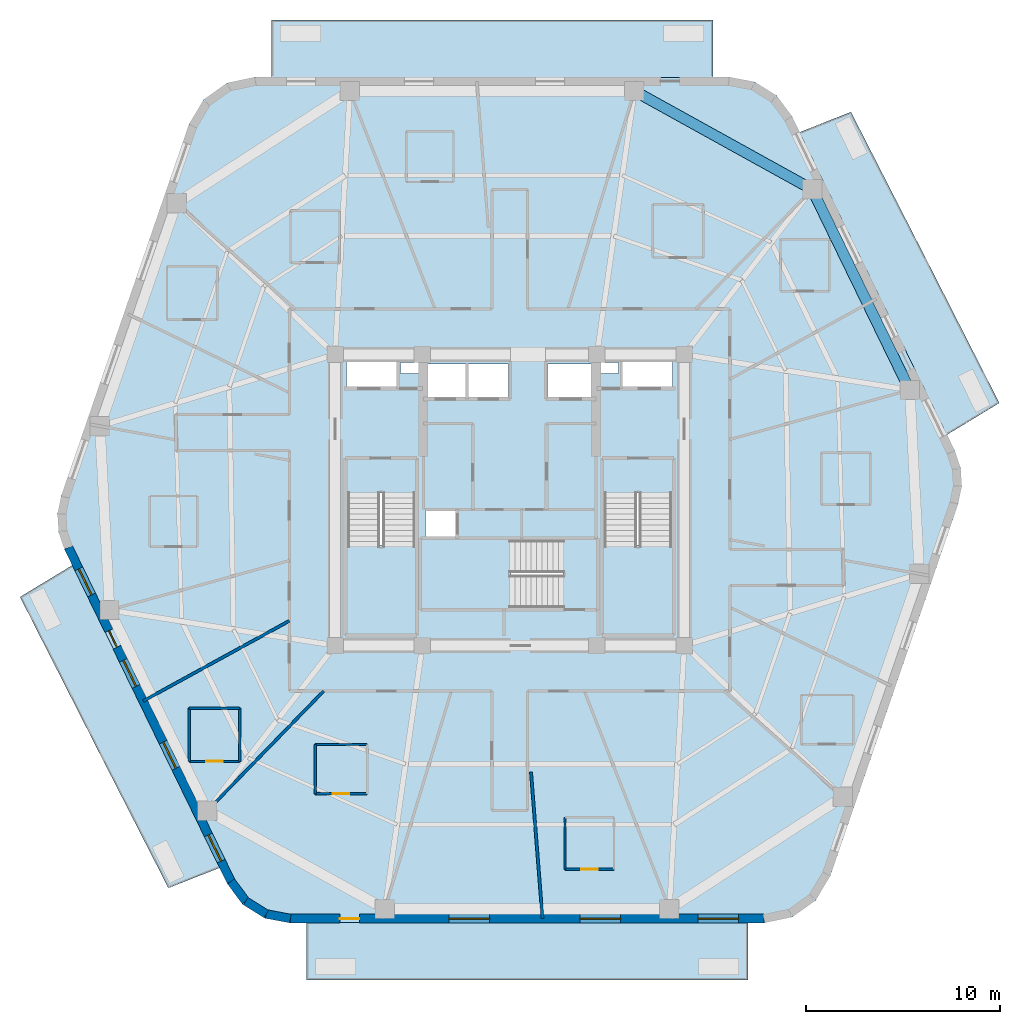
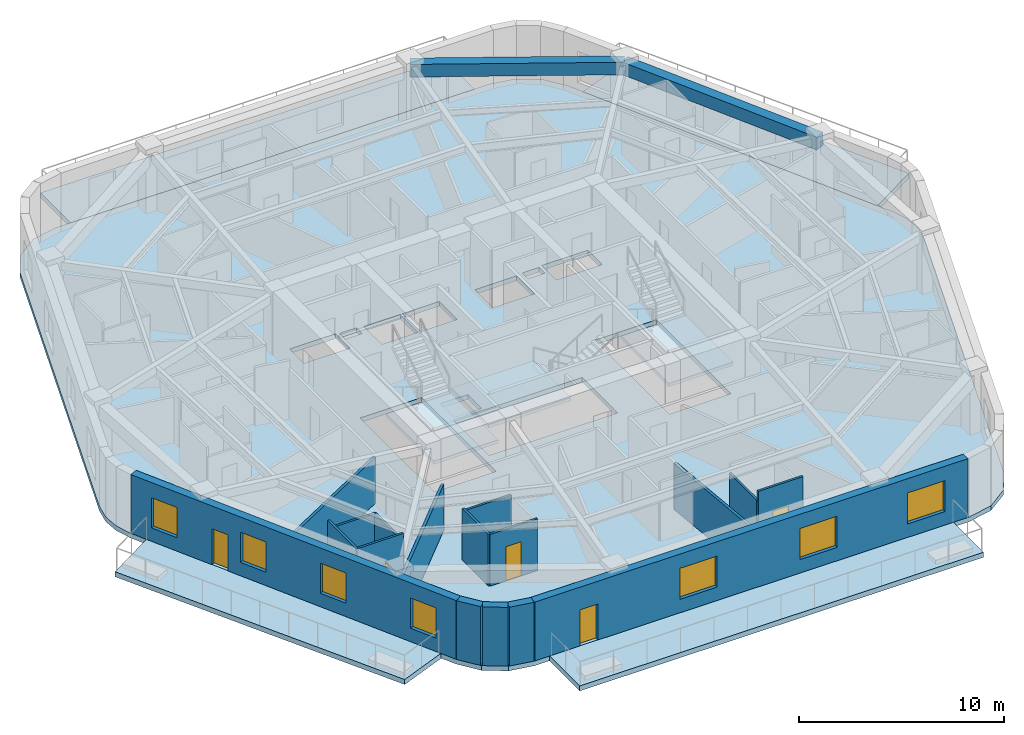
# One storey, part 2 of 10: 17 walls, 8 slabs, 7 windows, 5 doors, 2 beams, 12 openings, 3 elements without a shape of their own.
"""IFC4 building model written with IfcOpenShell, lengths in metres."""

from ifc_helpers import new_model, si_unit, direction, frame, frame_2d, origin, origin_2d, place, context, subcontext, project, spatial, polyline, rectangle, outline, extrude, material, layer, layer_set, material_profile, profile_set, type_object, element, fill, aggregate, save


model = new_model("IFC4")

# Units and contexts
model_context = context("Model", 3, precision=1e-05, world=origin(), true_north=direction((0.0, 1.0)))
body_context = subcontext(model_context, "Body", "Model", "MODEL_VIEW")
ifc_project = project(units=[si_unit("LENGTHUNIT", "METRE"), si_unit("AREAUNIT", "SQUARE_METRE"), si_unit("VOLUMEUNIT", "CUBIC_METRE"), si_unit("PLANEANGLEUNIT", "RADIAN"), si_unit("MASSUNIT", "GRAM", prefix="KILO")], contexts=[model_context])

# Site, building, storey
site_placement = place(None, origin())
site = spatial("IfcSite", under=ifc_project, at=site_placement, CompositionType="ELEMENT")
building_placement = place(site_placement, origin())
building = spatial("IfcBuilding", under=site, at=building_placement, Name="Kilnhurst Terrace Hotel", CompositionType="ELEMENT")
storey_placement = place(building_placement, frame((0.0, 0.0, 248.300048828125)))
storey = spatial("IfcBuildingStorey", under=building, at=storey_placement, Name="L62", CompositionType="ELEMENT", Elevation=248.300048828125)

# Beams
ifc_material_1 = material(Name="Concrete C50/60", Category="concrete")
ifc_material_profile = material_profile(ifc_material_1, rectangle(XDim=0.550048828125, YDim=0.75, at=origin_2d()), Name="RC550X750")
ifc_profile_set = profile_set([ifc_material_profile], Name="Concrete C50/60")
beam_type = type_object("IfcBeamType", Name="BM-SPN-550X750", PredefinedType="SPANDREL", material=ifc_profile_set)
beam_1_placement = place(storey_placement, frame((20.6220703125, 5.669921875, 3.125), z_axis=(-0.437705964683, 0.899118172701, 0.0), x_axis=(-0.899118172701, -0.437705964683, 0.0)))
element("IfcBeam", 1, at=beam_1_placement, inside=storey, type_object=beam_type, Name="L62 Perimeter Spandrel Beam 5", PredefinedType="SPANDREL", context=body_context, shape_type="SweptSolid", body=[
    extrude(rectangle(XDim=0.550048828125, YDim=0.75, at=origin_2d()), origin(), (0.0, 0.0, 1.0), 11.50341796875),
])
beam_2_placement = place(storey_placement, frame((15.5869140625, 16.012939453125, 3.125), z_axis=(-0.874970333121, 0.484176534085, 0.0), x_axis=(-0.484176534085, -0.874970333121, 0.0)))
element("IfcBeam", 2, at=beam_2_placement, inside=storey, type_object=beam_type, Name="L62 Perimeter Spandrel Beam 6", PredefinedType="SPANDREL", context=body_context, shape_type="SweptSolid", body=[
    extrude(rectangle(XDim=0.550048828125, YDim=0.75, at=origin_2d()), origin(), (0.0, 0.0, 1.0), 10.465576171875),
])

# Slabs
ifc_layer_1 = layer(ifc_material_1, 0.300048828125, Name="Concrete C50/60")
ifc_layer_set_1 = layer_set([ifc_layer_1], Name="Concrete C50/60")
slab_type_1 = type_object("IfcSlabType", Name="SLB-BAL-300", PredefinedType="FLOOR", material=ifc_layer_set_1)
slab_1_placement = place(storey_placement, frame((0.0, 0.0, -0.300048828125)))
element("IfcSlab", 3, at=slab_1_placement, inside=storey, type_object=slab_type_1, Name="L62 Cantilevered Planted Terrace Slab BAL-L1A", PredefinedType="FLOOR", context=body_context, shape_type="SweptSolid", body=[
    extrude(outline(polyline([(21.440185546875, 12.465576171875), (25.237548828125, 5.0), (22.527587890625, 3.356201171875), (14.93505859375, 18.95068359375), (17.5888671875, 20.0), (21.440185546875, 12.465576171875)])), origin(), (0.0, 0.0, 1.0), 0.300048828125),
])
slab_2_placement = place(storey_placement, frame((0.0, 0.0, -0.300048828125)))
element("IfcSlab", 4, at=slab_2_placement, inside=storey, type_object=slab_type_1, Name="L62 Cantilevered Planted Terrace Slab BAL-L1B", PredefinedType="FLOOR", context=body_context, shape_type="SweptSolid", body=[
    extrude(outline(polyline([(-12.27490234375, 21.780029296875), (-12.27490234375, 24.739990234375), (10.46875, 24.739990234375), (10.46875, 21.780029296875), (-12.27490234375, 21.780029296875)])), origin(), (0.0, 0.0, 1.0), 0.300048828125),
])
slab_3_placement = place(storey_placement, frame((0.0, 0.0, -0.300048828125)))
element("IfcSlab", 5, at=slab_3_placement, inside=storey, type_object=slab_type_1, Name="L62 Cantilevered Planted Terrace Slab BAL-L2A", PredefinedType="FLOOR", context=body_context, shape_type="SweptSolid", body=[
    extrude(outline(polyline([(-25.237548828125, -5.0), (-22.527587890625, -3.356201171875), (-14.93505859375, -18.95068359375), (-17.5888671875, -20.0), (-21.440185546875, -12.465576171875), (-25.237548828125, -5.0)])), origin(), (0.0, 0.0, 1.0), 0.300048828125),
])
slab_4_placement = place(storey_placement, frame((0.0, 0.0, -0.300048828125)))
element("IfcSlab", 6, at=slab_4_placement, inside=storey, type_object=slab_type_1, Name="L62 Cantilevered Planted Terrace Slab BAL-L2B", PredefinedType="FLOOR", context=body_context, shape_type="SweptSolid", body=[
    extrude(outline(polyline([(12.27490234375, -21.780029296875), (12.27490234375, -24.739990234375), (-10.46875, -24.739990234375), (-10.46875, -21.780029296875), (12.27490234375, -21.780029296875)])), origin(), (0.0, 0.0, 1.0), 0.300048828125),
])
ifc_layer_2 = layer(ifc_material_1, 0.280029296875, Name="Concrete C50/60")
ifc_layer_set_2 = layer_set([ifc_layer_2], Name="Concrete C50/60")
slab_type_2 = type_object("IfcSlabType", Name="SLB-FLR-280", PredefinedType="FLOOR", material=ifc_layer_set_2)
slab_5_placement = place(storey_placement, frame((0.0, 0.0, -0.280029296875)))
element("IfcSlab", 7, at=slab_5_placement, inside=storey, type_object=slab_type_2, Name="L62 Structural Floor Slab", PredefinedType="FLOOR", context=body_context, shape_type="SweptSolid", body=[
    extrude(outline(polyline([(-14.555419921875, -19.77587890625), (-13.759765625, -20.845947265625), (-12.629150390625, -21.552978515625), (-11.318603515625, -21.800048828125), (13.124755859375, -21.800048828125), (14.5703125, -21.4970703125), (15.772705078125, -20.638916015625), (16.529296875, -19.370361328125), (23.1162109375, -0.208740234375), (23.302978515625, 0.710693359375), (23.24560546875, 1.6474609375), (22.948486328125, 2.537353515625), (14.555419921875, 19.77587890625), (13.759765625, 20.845947265625), (12.629150390625, 21.552978515625), (11.318603515625, 21.800048828125), (-13.124755859375, 21.800048828125), (-14.5703125, 21.4970703125), (-15.772705078125, 20.638916015625), (-16.529296875, 19.370361328125), (-23.1162109375, 0.208740234375), (-23.302978515625, -0.710693359375), (-23.24560546875, -1.6474609375), (-22.948486328125, -2.537353515625), (-14.555419921875, -19.77587890625)]), holes=[polyline([(-8.35009765625, 0.35498046875), (-4.8798828125, 0.35498046875), (-4.8798828125, -6.89990234375), (-8.35009765625, -6.89990234375), (-8.35009765625, 0.35498046875)]), polyline([(-2.800048828125, -1.89990234375), (-4.35009765625, -1.89990234375), (-4.35009765625, -0.550048828125), (-2.800048828125, -0.550048828125), (-2.800048828125, -1.89990234375)]), polyline([(-2.25, 5.25), (-4.300048828125, 5.25), (-4.300048828125, 7.0), (-2.25, 7.0), (-2.25, 5.25)]), polyline([(-2.1201171875, 5.25), (-2.1201171875, 7.0), (-0.050048828125, 7.0), (-0.050048828125, 5.25), (-2.1201171875, 5.25)]), polyline([(-8.39990234375, 5.75), (-8.39990234375, 7.14990234375), (-5.800048828125, 7.14990234375), (-5.800048828125, 5.75), (-8.39990234375, 5.75)]), polyline([(-4.659912109375, 6.52001953125), (-5.6201171875, 6.52001953125), (-5.6201171875, 7.080078125), (-4.659912109375, 7.080078125), (-4.659912109375, 6.52001953125)]), polyline([(2.7548828125, -5.550048828125), (-4.5, -5.550048828125), (-4.5, -2.080078125), (2.7548828125, -2.080078125), (2.7548828125, -5.550048828125)]), polyline([(8.35009765625, 0.35498046875), (8.35009765625, -6.89990234375), (4.8798828125, -6.89990234375), (4.8798828125, 0.35498046875), (8.35009765625, 0.35498046875)]), polyline([(4.300048828125, 5.25), (1.949951171875, 5.25), (1.949951171875, 7.0), (4.300048828125, 7.0), (4.300048828125, 5.25)]), polyline([(5.800048828125, 5.75), (5.800048828125, 7.14990234375), (8.39990234375, 7.14990234375), (8.39990234375, 5.75), (5.800048828125, 5.75)]), polyline([(4.659912109375, 6.52001953125), (4.659912109375, 7.080078125), (5.6201171875, 7.080078125), (5.6201171875, 6.52001953125), (4.659912109375, 6.52001953125)])]), origin(), (0.0, 0.0, 1.0), 0.280029296875),
])

# Stair, slab
stair_type = type_object("IfcStairType", Name="STR-CORE-1660", PredefinedType="HALF_TURN_STAIR", material=ifc_material_1)
stair_1_placement = place(storey_placement, origin())
stair_1 = element("IfcStair", 8, at=stair_1_placement, inside=storey, type_object=stair_type, Name="L62 ST-1", PredefinedType="HALF_TURN_STAIR")
ifc_layer_3 = layer(ifc_material_1, 0.199951171875, Name="Concrete C50/60")
ifc_layer_set_3 = layer_set([ifc_layer_3], Name="Concrete C50/60")
slab_type_3 = type_object("IfcSlabType", Name="SLB-ST-LND-200", PredefinedType="LANDING", material=ifc_layer_set_3)
slab_6_placement = place(storey_placement, frame((0.0, 0.0, 1.699951171875)))
slab_6 = element("IfcSlab", 9, at=slab_6_placement, type_object=slab_type_3, Name="ST-1 landing 1", PredefinedType="LANDING", context=body_context, shape_type="SweptSolid", body=[
    extrude(outline(polyline([(-8.429931640625, -2.330078125), (-4.800048828125, -2.330078125), (-4.800048828125, -6.97998046875), (-8.429931640625, -6.97998046875), (-8.429931640625, -2.330078125)])), origin(), (0.0, 0.0, 1.0), 0.199951171875),
])
aggregate(stair_1, [slab_6])

stair_2_placement = place(storey_placement, origin())
stair_2 = element("IfcStair", 10, at=stair_2_placement, inside=storey, type_object=stair_type, Name="L62 ST-2", PredefinedType="HALF_TURN_STAIR")
slab_7_placement = place(storey_placement, frame((0.0, 0.0, 1.699951171875)))
slab_7 = element("IfcSlab", 11, at=slab_7_placement, type_object=slab_type_3, Name="ST-2 landing 1", PredefinedType="LANDING", context=body_context, shape_type="SweptSolid", body=[
    extrude(outline(polyline([(4.800048828125, -2.330078125), (8.429931640625, -2.330078125), (8.429931640625, -6.97998046875), (4.800048828125, -6.97998046875), (4.800048828125, -2.330078125)])), origin(), (0.0, 0.0, 1.0), 0.199951171875),
])
aggregate(stair_2, [slab_7])

stair_3_placement = place(storey_placement, origin())
stair_3 = element("IfcStair", 12, at=stair_3_placement, inside=storey, type_object=stair_type, Name="L62 ST-3", PredefinedType="HALF_TURN_STAIR")
slab_8_placement = place(storey_placement, frame((0.0, 0.0, 1.699951171875)))
slab_8 = element("IfcSlab", 13, at=slab_8_placement, type_object=slab_type_3, Name="ST-3 landing 1", PredefinedType="LANDING", context=body_context, shape_type="SweptSolid", body=[
    extrude(outline(polyline([(0.070068359375, -2.0), (0.070068359375, -5.6298828125), (-4.580078125, -5.6298828125), (-4.580078125, -2.0), (0.070068359375, -2.0)])), origin(), (0.0, 0.0, 1.0), 0.199951171875),
])
aggregate(stair_3, [slab_8])

# Walls
ifc_material_2 = material(Name="Precast concrete C40/50", Category="concrete")
ifc_layer_4 = layer(ifc_material_2, 0.449951171875, Name="Precast concrete C40/50")
ifc_layer_set_4 = layer_set([ifc_layer_4], Name="Precast concrete C40/50")
wall_type_1 = type_object("IfcWallType", Name="WL-BRK-450", PredefinedType="SOLIDWALL", material=ifc_layer_set_4)
wall_1_placement = place(storey_placement, frame((-14.3623046875, -19.658447265625, 0.0), z_axis=(0.0, 0.0, 1.0), x_axis=(0.596642462792, -0.80250717853, 0.0)))
element("IfcWall", 14, at=wall_1_placement, inside=storey, type_object=wall_type_1, Name="L62 Rounded Corner Brick Wall C1.1", PredefinedType="SOLIDWALL", context=body_context, shape_type="SweptSolid", body=[
    extrude(rectangle(XDim=1.27001953125, YDim=0.449951171875, at=frame_2d((0.635009765625, 0.0))), origin(), (0.0, 0.0, 1.0), 3.5),
])
wall_2_placement = place(storey_placement, frame((-13.6044921875, -20.677734375, 0.0), z_axis=(0.0, 0.0, 1.0), x_axis=(0.847910404124, -0.53013955387, 0.0)))
element("IfcWall", 15, at=wall_2_placement, inside=storey, type_object=wall_type_1, Name="L62 Rounded Corner Brick Wall C1.2", PredefinedType="SOLIDWALL", context=body_context, shape_type="SweptSolid", body=[
    extrude(rectangle(XDim=1.24853515625, YDim=0.449951171875, at=frame_2d((0.624267578125, 0.0))), origin(), (0.0, 0.0, 1.0), 3.5),
])
wall_3_placement = place(storey_placement, frame((-12.5458984375, -21.339599609375, 0.0), z_axis=(0.0, 0.0, 1.0), x_axis=(0.982686750835, -0.18527479519, 0.0)))
element("IfcWall", 16, at=wall_3_placement, inside=storey, type_object=wall_type_1, Name="L62 Rounded Corner Brick Wall C1.3", PredefinedType="SOLIDWALL", context=body_context, shape_type="SweptSolid", body=[
    extrude(rectangle(XDim=1.270263671875, YDim=0.449951171875, at=frame_2d((0.63525390625, 0.0))), origin(), (0.0, 0.0, 1.0), 3.5),
])

# Wall, openings, door, windows
wall_4_placement = place(storey_placement, frame((-11.297607421875, -21.574951171875, 0.0), z_axis=(0.0, 0.0, 1.0), x_axis=(1.0, 0.0, 0.0)))
wall_4 = element("IfcWall", 17, at=wall_4_placement, inside=storey, type_object=wall_type_1, Name="L62 Exterior Brick Facade Wall F1", PredefinedType="SOLIDWALL", context=body_context, shape_type="SweptSolid", body=[
    extrude(rectangle(XDim=24.399169921875, YDim=0.449951171875, at=frame_2d((12.19970703125, 0.0))), origin(), (0.0, 0.0, 1.0), 3.5),
])
opening_1_placement = place(wall_4_placement, frame((2.550048828125, 0.0, 0.0)))
opening_1 = element("IfcOpeningElement", 18, at=opening_1_placement, cuts=wall_4, Name="Opening BD-1000", PredefinedType="OPENING", context=body_context, shape_type="SweptSolid", body=[
    extrude(rectangle(XDim=1.0, YDim=2.14990234375, at=frame_2d((0.5, 1.074951171875))), frame((0.0, 0.23486328125, 0.0), z_axis=(0.0, -1.0, 0.0), x_axis=(1.0, 0.0, 0.0)), (0.0, 0.0, 1.0), 0.469970703125),
])
opening_2_placement = place(wall_4_placement, frame((8.1689453125, 0.0, 0.800048828125)))
opening_2 = element("IfcOpeningElement", 19, at=opening_2_placement, cuts=wall_4, Name="Opening W-04", PredefinedType="OPENING", context=body_context, shape_type="SweptSolid", body=[
    extrude(rectangle(XDim=2.10009765625, YDim=1.85009765625, at=frame_2d((1.050048828125, 0.925048828125))), frame((0.0, 0.23486328125, 0.0), z_axis=(0.0, -1.0, 0.0), x_axis=(1.0, 0.0, 0.0)), (0.0, 0.0, 1.0), 0.469970703125),
])
opening_3_placement = place(wall_4_placement, frame((14.922119140625, 0.0, 0.800048828125)))
opening_3 = element("IfcOpeningElement", 20, at=opening_3_placement, cuts=wall_4, Name="Opening W-04", PredefinedType="OPENING", context=body_context, shape_type="SweptSolid", body=[
    extrude(rectangle(XDim=2.10009765625, YDim=1.85009765625, at=frame_2d((1.050048828125, 0.925048828125))), frame((0.0, 0.23486328125, 0.0), z_axis=(0.0, -1.0, 0.0), x_axis=(1.0, 0.0, 0.0)), (0.0, 0.0, 1.0), 0.469970703125),
])
opening_4_placement = place(wall_4_placement, frame((20.99609375, 0.0, 0.800048828125)))
opening_4 = element("IfcOpeningElement", 21, at=opening_4_placement, cuts=wall_4, Name="Opening W-04", PredefinedType="OPENING", context=body_context, shape_type="SweptSolid", body=[
    extrude(rectangle(XDim=2.10009765625, YDim=1.85009765625, at=frame_2d((1.050048828125, 0.925048828125))), frame((0.0, 0.23486328125, 0.0), z_axis=(0.0, -1.0, 0.0), x_axis=(1.0, 0.0, 0.0)), (0.0, 0.0, 1.0), 0.469970703125),
])
ifc_material_3 = material(Name="Thermally Broken Bronze Aluminium Alloy 6063-T6 and Laminated Glass", Category="aluminium")
door_type_1 = type_object("IfcDoorType", Name="DR-EXT-BAL-1000", OperationType="NOTDEFINED", PredefinedType="DOOR", material=ifc_material_3)
door_1_placement = place(opening_1_placement, origin())
door_1 = element("IfcDoor", 22, at=door_1_placement, inside=storey, type_object=door_type_1, Name="L62 Planted Balcony Door BAL-L2B", OperationType="SINGLE_SWING_LEFT", OverallHeight=2.14990234375, OverallWidth=1.0, PredefinedType="DOOR", context=body_context, shape_type="SweptSolid", body=[
    extrude(rectangle(XDim=1.0, YDim=2.14990234375, at=frame_2d((0.5, 1.074951171875))), frame((0.0, 0.02490234375, 0.0), z_axis=(0.0, -1.0, 0.0), x_axis=(1.0, 0.0, 0.0)), (0.0, 0.0, 1.0), 0.050048828125),
])
fill(opening_1, door_1)
ifc_material_4 = material(Name="Thermally Broken Bronze Aluminium Alloy 6063-T6 and Low-E Glass", Category="aluminium")
window_type_1 = type_object("IfcWindowType", Name="WIN-2100X1850", PartitioningType="SINGLE_PANEL", PredefinedType="WINDOW", material=ifc_material_4)
window_1_placement = place(opening_2_placement, origin())
window_1 = element("IfcWindow", 23, at=window_1_placement, inside=storey, type_object=window_type_1, Name="L62 Deep-Set Masonry Window F1.1", OverallHeight=1.85009765625, OverallWidth=2.10009765625, PartitioningType="SINGLE_PANEL", PredefinedType="WINDOW", context=body_context, shape_type="SweptSolid", body=[
    extrude(rectangle(XDim=2.10009765625, YDim=1.85009765625, at=frame_2d((1.050048828125, 0.925048828125))), frame((0.0, 0.030029296875, 0.0), z_axis=(0.0, -1.0, 0.0), x_axis=(1.0, 0.0, 0.0)), (0.0, 0.0, 1.0), 0.06005859375),
])
fill(opening_2, window_1)
window_2_placement = place(opening_3_placement, origin())
window_2 = element("IfcWindow", 24, at=window_2_placement, inside=storey, type_object=window_type_1, Name="L62 Deep-Set Masonry Window F1.2", OverallHeight=1.85009765625, OverallWidth=2.10009765625, PartitioningType="SINGLE_PANEL", PredefinedType="WINDOW", context=body_context, shape_type="SweptSolid", body=[
    extrude(rectangle(XDim=2.10009765625, YDim=1.85009765625, at=frame_2d((1.050048828125, 0.925048828125))), frame((0.0, 0.030029296875, 0.0), z_axis=(0.0, -1.0, 0.0), x_axis=(1.0, 0.0, 0.0)), (0.0, 0.0, 1.0), 0.06005859375),
])
fill(opening_3, window_2)
window_3_placement = place(opening_4_placement, origin())
window_3 = element("IfcWindow", 25, at=window_3_placement, inside=storey, type_object=window_type_1, Name="L62 Deep-Set Masonry Window F1.3", OverallHeight=1.85009765625, OverallWidth=2.10009765625, PartitioningType="SINGLE_PANEL", PredefinedType="WINDOW", context=body_context, shape_type="SweptSolid", body=[
    extrude(rectangle(XDim=2.10009765625, YDim=1.85009765625, at=frame_2d((1.050048828125, 0.925048828125))), frame((0.0, 0.030029296875, 0.0), z_axis=(0.0, -1.0, 0.0), x_axis=(1.0, 0.0, 0.0)), (0.0, 0.0, 1.0), 0.06005859375),
])
fill(opening_4, window_3)

wall_5_placement = place(storey_placement, frame((-22.73974609375, -2.4521484375, 0.0), z_axis=(0.0, 0.0, 1.0), x_axis=(0.437753424814, -0.899095066755, 0.0)))
wall_5 = element("IfcWall", 26, at=wall_5_placement, inside=storey, type_object=wall_type_1, Name="L62 Exterior Brick Facade Wall F6", PredefinedType="SOLIDWALL", context=body_context, shape_type="SweptSolid", body=[
    extrude(rectangle(XDim=19.137451171875, YDim=0.449951171875, at=frame_2d((9.56884765625, 0.0))), origin(), (0.0, 0.0, 1.0), 3.5),
])
opening_5_placement = place(wall_5_placement, frame((4.762939453125, 0.0, 0.0)))
opening_5 = element("IfcOpeningElement", 27, at=opening_5_placement, cuts=wall_5, Name="Opening BD-950", PredefinedType="OPENING", context=body_context, shape_type="SweptSolid", body=[
    extrude(rectangle(XDim=0.949951171875, YDim=2.14990234375, at=frame_2d((0.47509765625, 1.074951171875))), frame((0.0, 0.23486328125, 0.0), z_axis=(0.0, -1.0, 0.0), x_axis=(1.0, 0.0, 0.0)), (0.0, 0.0, 1.0), 0.469970703125),
])
opening_6_placement = place(wall_5_placement, frame((1.216064453125, 0.0, 0.800048828125)))
opening_6 = element("IfcOpeningElement", 28, at=opening_6_placement, cuts=wall_5, Name="Opening W-02", PredefinedType="OPENING", context=body_context, shape_type="SweptSolid", body=[
    extrude(rectangle(XDim=1.5, YDim=1.800048828125, at=frame_2d((0.75, 0.89990234375))), frame((0.0, 0.23486328125, 0.0), z_axis=(0.0, -1.0, 0.0), x_axis=(1.0, 0.0, 0.0)), (0.0, 0.0, 1.0), 0.469970703125),
])
opening_7_placement = place(wall_5_placement, frame((6.4609375, 0.0, 0.800048828125)))
opening_7 = element("IfcOpeningElement", 29, at=opening_7_placement, cuts=wall_5, Name="Opening W-02", PredefinedType="OPENING", context=body_context, shape_type="SweptSolid", body=[
    extrude(rectangle(XDim=1.5, YDim=1.800048828125, at=frame_2d((0.75, 0.89990234375))), frame((0.0, 0.23486328125, 0.0), z_axis=(0.0, -1.0, 0.0), x_axis=(1.0, 0.0, 0.0)), (0.0, 0.0, 1.0), 0.469970703125),
])
opening_8_placement = place(wall_5_placement, frame((11.156005859375, 0.0, 0.800048828125)))
opening_8 = element("IfcOpeningElement", 30, at=opening_8_placement, cuts=wall_5, Name="Opening W-02", PredefinedType="OPENING", context=body_context, shape_type="SweptSolid", body=[
    extrude(rectangle(XDim=1.5, YDim=1.800048828125, at=frame_2d((0.75, 0.89990234375))), frame((0.0, 0.23486328125, 0.0), z_axis=(0.0, -1.0, 0.0), x_axis=(1.0, 0.0, 0.0)), (0.0, 0.0, 1.0), 0.469970703125),
])
opening_9_placement = place(wall_5_placement, frame((16.472900390625, 0.0, 0.800048828125)))
opening_9 = element("IfcOpeningElement", 31, at=opening_9_placement, cuts=wall_5, Name="Opening W-02", PredefinedType="OPENING", context=body_context, shape_type="SweptSolid", body=[
    extrude(rectangle(XDim=1.5, YDim=1.800048828125, at=frame_2d((0.75, 0.89990234375))), frame((0.0, 0.23486328125, 0.0), z_axis=(0.0, -1.0, 0.0), x_axis=(1.0, 0.0, 0.0)), (0.0, 0.0, 1.0), 0.469970703125),
])
door_type_2 = type_object("IfcDoorType", Name="DR-EXT-BAL-950", OperationType="NOTDEFINED", PredefinedType="DOOR", material=ifc_material_3)
door_2_placement = place(opening_5_placement, origin())
door_2 = element("IfcDoor", 32, at=door_2_placement, inside=storey, type_object=door_type_2, Name="L62 Planted Balcony Door BAL-L2A", OperationType="SINGLE_SWING_RIGHT", OverallHeight=2.14990234375, OverallWidth=0.949951171875, PredefinedType="DOOR", context=body_context, shape_type="SweptSolid", body=[
    extrude(rectangle(XDim=0.949951171875, YDim=2.14990234375, at=frame_2d((0.47509765625, 1.074951171875))), frame((0.0, 0.02490234375, 0.0), z_axis=(0.0, -1.0, 0.0), x_axis=(1.0, 0.0, 0.0)), (0.0, 0.0, 1.0), 0.050048828125),
])
fill(opening_5, door_2)
window_type_2 = type_object("IfcWindowType", Name="WIN-1500X1800", PartitioningType="SINGLE_PANEL", PredefinedType="WINDOW", material=ifc_material_4)
window_4_placement = place(opening_6_placement, origin())
window_4 = element("IfcWindow", 33, at=window_4_placement, inside=storey, type_object=window_type_2, Name="L62 Deep-Set Masonry Window F6.1", OverallHeight=1.800048828125, OverallWidth=1.5, PartitioningType="SINGLE_PANEL", PredefinedType="WINDOW", context=body_context, shape_type="SweptSolid", body=[
    extrude(rectangle(XDim=1.5, YDim=1.800048828125, at=frame_2d((0.75, 0.89990234375))), frame((0.0, 0.030029296875, 0.0), z_axis=(0.0, -1.0, 0.0), x_axis=(1.0, 0.0, 0.0)), (0.0, 0.0, 1.0), 0.06005859375),
])
fill(opening_6, window_4)
window_5_placement = place(opening_7_placement, origin())
window_5 = element("IfcWindow", 34, at=window_5_placement, inside=storey, type_object=window_type_2, Name="L62 Deep-Set Masonry Window F6.2", OverallHeight=1.800048828125, OverallWidth=1.5, PartitioningType="SINGLE_PANEL", PredefinedType="WINDOW", context=body_context, shape_type="SweptSolid", body=[
    extrude(rectangle(XDim=1.5, YDim=1.800048828125, at=frame_2d((0.75, 0.89990234375))), frame((0.0, 0.030029296875, 0.0), z_axis=(0.0, -1.0, 0.0), x_axis=(1.0, 0.0, 0.0)), (0.0, 0.0, 1.0), 0.06005859375),
])
fill(opening_7, window_5)
window_6_placement = place(opening_8_placement, origin())
window_6 = element("IfcWindow", 35, at=window_6_placement, inside=storey, type_object=window_type_2, Name="L62 Deep-Set Masonry Window F6.3", OverallHeight=1.800048828125, OverallWidth=1.5, PartitioningType="SINGLE_PANEL", PredefinedType="WINDOW", context=body_context, shape_type="SweptSolid", body=[
    extrude(rectangle(XDim=1.5, YDim=1.800048828125, at=frame_2d((0.75, 0.89990234375))), frame((0.0, 0.030029296875, 0.0), z_axis=(0.0, -1.0, 0.0), x_axis=(1.0, 0.0, 0.0)), (0.0, 0.0, 1.0), 0.06005859375),
])
fill(opening_8, window_6)
window_7_placement = place(opening_9_placement, origin())
window_7 = element("IfcWindow", 36, at=window_7_placement, inside=storey, type_object=window_type_2, Name="L62 Deep-Set Masonry Window F6.4", OverallHeight=1.800048828125, OverallWidth=1.5, PartitioningType="SINGLE_PANEL", PredefinedType="WINDOW", context=body_context, shape_type="SweptSolid", body=[
    extrude(rectangle(XDim=1.5, YDim=1.800048828125, at=frame_2d((0.75, 0.89990234375))), frame((0.0, 0.030029296875, 0.0), z_axis=(0.0, -1.0, 0.0), x_axis=(1.0, 0.0, 0.0)), (0.0, 0.0, 1.0), 0.06005859375),
])
fill(opening_9, window_7)

# Walls
ifc_material_5 = material(Name="STC-58 Acoustic Twin-Frame Guestroom Demising Partition")
ifc_layer_5 = layer(ifc_material_5, 0.14990234375, Name="STC-58 Acoustic Twin-Frame Guestroom Demising Partition")
ifc_layer_set_5 = layer_set([ifc_layer_5], Name="STC-58 Acoustic Twin-Frame Guestroom Demising Partition")
wall_type_2 = type_object("IfcWallType", Name="WL-DEM-150", PredefinedType="PARTITIONING", material=ifc_layer_set_5)
wall_6_placement = place(storey_placement, frame((-11.35009765625, -6.2265625, 0.0), z_axis=(0.0, 0.0, 1.0), x_axis=(-0.876723190824, -0.480995266786, 0.0)))
element("IfcWall", 37, at=wall_6_placement, inside=storey, type_object=wall_type_2, Name="L62 Interior Wall WL-L62-DEM-MID07-11-1", PredefinedType="PARTITIONING", context=body_context, shape_type="SweptSolid", body=[
    extrude(rectangle(XDim=8.598388671875, YDim=0.14990234375, at=frame_2d((4.29931640625, 0.0))), origin(), (0.0, 0.0, 1.0), 2.739990234375),
])
wall_7_placement = place(storey_placement, frame((-9.587890625, -9.85009765625, 0.0), z_axis=(0.0, 0.0, 1.0), x_axis=(-0.697519469595, -0.716565830567, 0.0)))
element("IfcWall", 38, at=wall_7_placement, inside=storey, type_object=wall_type_2, Name="L62 Interior Wall WL-L62-DEM-COL08-12-1", PredefinedType="PARTITIONING", context=body_context, shape_type="SweptSolid", body=[
    extrude(rectangle(XDim=9.12646484375, YDim=0.14990234375, at=frame_2d((4.563232421875, 0.0))), origin(), (0.0, 0.0, 1.0), 2.739990234375),
])
wall_8_placement = place(storey_placement, frame((1.10009765625, -14.017578125, 0.0), z_axis=(0.0, 0.0, 1.0), x_axis=(0.078228275349, -0.996935472804, 0.0)))
element("IfcWall", 39, at=wall_8_placement, inside=storey, type_object=wall_type_2, Name="L62 Interior Wall WL-L62-DEM-MID09-14-1", PredefinedType="PARTITIONING", context=body_context, shape_type="SweptSolid", body=[
    extrude(rectangle(XDim=7.58056640625, YDim=0.14990234375, at=frame_2d((3.790283203125, 0.0))), origin(), (0.0, 0.0, 1.0), 2.739990234375),
])

# Wall, opening, door
ifc_material_6 = material(Name="120 mm Moisture-Resistant Tile-Backed Bathroom Partition")
ifc_layer_6 = layer(ifc_material_6, 0.1201171875, Name="120 mm Moisture-Resistant Tile-Backed Bathroom Partition")
ifc_layer_set_6 = layer_set([ifc_layer_6], Name="120 mm Moisture-Resistant Tile-Backed Bathroom Partition")
wall_type_3 = type_object("IfcWallType", Name="WL-PART-120", PredefinedType="PARTITIONING", material=ifc_layer_set_6)
wall_9_placement = place(storey_placement, frame((-16.51806640625, -13.47705078125, 0.0), z_axis=(0.0, 0.0, 1.0), x_axis=(1.0, 0.0, 0.0)))
wall_9 = element("IfcWall", 40, at=wall_9_placement, inside=storey, type_object=wall_type_3, Name="L62 Interior Wall WL-L62-BTH-11-1", PredefinedType="PARTITIONING", context=body_context, shape_type="SweptSolid", body=[
    extrude(rectangle(XDim=2.60009765625, YDim=0.1201171875, at=frame_2d((1.300048828125, 0.0))), origin(), (0.0, 0.0, 1.0), 3.5),
])
opening_10_placement = place(wall_9_placement, frame((0.875, 0.0, 0.0)))
opening_10 = element("IfcOpeningElement", 41, at=opening_10_placement, cuts=wall_9, Name="Opening D-08A", PredefinedType="OPENING", context=body_context, shape_type="SweptSolid", body=[
    extrude(rectangle(XDim=0.85009765625, YDim=2.030029296875, at=frame_2d((0.425048828125, 1.01513671875))), frame((0.0, 0.070068359375, 0.0), z_axis=(0.0, -1.0, 0.0), x_axis=(1.0, 0.0, 0.0)), (0.0, 0.0, 1.0), 0.14013671875),
])
ifc_material_7 = material(Name="Moisture-Resistant Lacquered En-suite Bathroom Door")
door_type_3 = type_object("IfcDoorType", Name="DR-INT-850", OperationType="NOTDEFINED", PredefinedType="DOOR", material=ifc_material_7)
door_3_placement = place(opening_10_placement, origin())
door_3 = element("IfcDoor", 42, at=door_3_placement, inside=storey, type_object=door_type_3, Name="L62 En-suite Bathroom Door 11", OperationType="SINGLE_SWING_RIGHT", OverallHeight=2.030029296875, OverallWidth=0.85009765625, PredefinedType="DOOR", context=body_context, shape_type="SweptSolid", body=[
    extrude(rectangle(XDim=0.85009765625, YDim=2.030029296875, at=frame_2d((0.425048828125, 1.01513671875))), frame((0.0, 0.02490234375, 0.0), z_axis=(0.0, -1.0, 0.0), x_axis=(1.0, 0.0, 0.0)), (0.0, 0.0, 1.0), 0.050048828125),
])
fill(opening_10, door_3)

# Walls
wall_10_placement = place(storey_placement, frame((-13.91796875, -13.47705078125, 0.0), z_axis=(0.0, 0.0, 1.0), x_axis=(0.0, 1.0, 0.0)))
element("IfcWall", 43, at=wall_10_placement, inside=storey, type_object=wall_type_3, Name="L62 Interior Wall WL-L62-BTH-11-2", PredefinedType="PARTITIONING", context=body_context, shape_type="SweptSolid", body=[
    extrude(rectangle(XDim=2.75, YDim=0.1201171875, at=frame_2d((1.375, 0.0))), origin(), (0.0, 0.0, 1.0), 3.0263671875),
])
wall_11_placement = place(storey_placement, frame((-13.91796875, -10.72705078125, 0.0), z_axis=(0.0, 0.0, 1.0), x_axis=(-1.0, 0.0, 0.0)))
element("IfcWall", 44, at=wall_11_placement, inside=storey, type_object=wall_type_3, Name="L62 Interior Wall WL-L62-BTH-11-3", PredefinedType="PARTITIONING", context=body_context, shape_type="SweptSolid", body=[
    extrude(rectangle(XDim=2.60009765625, YDim=0.1201171875, at=frame_2d((1.300048828125, 0.0))), origin(), (0.0, 0.0, 1.0), 3.0263671875),
])
wall_12_placement = place(storey_placement, frame((-16.51806640625, -10.72705078125, 0.0), z_axis=(0.0, 0.0, 1.0), x_axis=(0.0, -1.0, 0.0)))
element("IfcWall", 45, at=wall_12_placement, inside=storey, type_object=wall_type_3, Name="L62 Interior Wall WL-L62-BTH-11-4", PredefinedType="PARTITIONING", context=body_context, shape_type="SweptSolid", body=[
    extrude(rectangle(XDim=2.75, YDim=0.1201171875, at=frame_2d((1.375, 0.0))), origin(), (0.0, 0.0, 1.0), 3.5),
])

# Wall, opening, door
wall_13_placement = place(storey_placement, frame((-10.02294921875, -15.14208984375, 0.0), z_axis=(0.0, 0.0, 1.0), x_axis=(1.0, 0.0, 0.0)))
wall_13 = element("IfcWall", 46, at=wall_13_placement, inside=storey, type_object=wall_type_3, Name="L62 Interior Wall WL-L62-BTH-12-1", PredefinedType="PARTITIONING", context=body_context, shape_type="SweptSolid", body=[
    extrude(rectangle(XDim=2.679931640625, YDim=0.1201171875, at=frame_2d((1.33984375, 0.0))), origin(), (0.0, 0.0, 1.0), 3.072265625),
])
opening_11_placement = place(wall_13_placement, frame((0.9150390625, 0.0, 0.0)))
opening_11 = element("IfcOpeningElement", 47, at=opening_11_placement, cuts=wall_13, Name="Opening D-08A", PredefinedType="OPENING", context=body_context, shape_type="SweptSolid", body=[
    extrude(rectangle(XDim=0.85009765625, YDim=2.030029296875, at=frame_2d((0.425048828125, 1.01513671875))), frame((0.0, 0.070068359375, 0.0), z_axis=(0.0, -1.0, 0.0), x_axis=(1.0, 0.0, 0.0)), (0.0, 0.0, 1.0), 0.14013671875),
])
door_4_placement = place(opening_11_placement, origin())
door_4 = element("IfcDoor", 48, at=door_4_placement, inside=storey, type_object=door_type_3, Name="L62 En-suite Bathroom Door 12", OperationType="SINGLE_SWING_LEFT", OverallHeight=2.030029296875, OverallWidth=0.85009765625, PredefinedType="DOOR", context=body_context, shape_type="SweptSolid", body=[
    extrude(rectangle(XDim=0.85009765625, YDim=2.030029296875, at=frame_2d((0.425048828125, 1.01513671875))), frame((0.0, 0.02490234375, 0.0), z_axis=(0.0, -1.0, 0.0), x_axis=(1.0, 0.0, 0.0)), (0.0, 0.0, 1.0), 0.050048828125),
])
fill(opening_11, door_4)

# Walls
wall_14_placement = place(storey_placement, frame((-7.343017578125, -12.60205078125, 0.0), z_axis=(0.0, 0.0, 1.0), x_axis=(-1.0, 0.0, 0.0)))
element("IfcWall", 49, at=wall_14_placement, inside=storey, type_object=wall_type_3, Name="L62 Interior Wall WL-L62-BTH-12-3", PredefinedType="PARTITIONING", context=body_context, shape_type="SweptSolid", body=[
    extrude(rectangle(XDim=2.679931640625, YDim=0.1201171875, at=frame_2d((1.33984375, 0.0))), origin(), (0.0, 0.0, 1.0), 2.9404296875),
])
wall_15_placement = place(storey_placement, frame((-10.02294921875, -12.60205078125, 0.0), z_axis=(0.0, 0.0, 1.0), x_axis=(0.0, -1.0, 0.0)))
element("IfcWall", 50, at=wall_15_placement, inside=storey, type_object=wall_type_3, Name="L62 Interior Wall WL-L62-BTH-12-4", PredefinedType="PARTITIONING", context=body_context, shape_type="SweptSolid", body=[
    extrude(rectangle(XDim=2.5400390625, YDim=0.1201171875, at=frame_2d((1.27001953125, 0.0))), origin(), (0.0, 0.0, 1.0), 3.072265625),
])

# Wall, opening, door
wall_16_placement = place(storey_placement, frame((2.85400390625, -19.037109375, 0.0), z_axis=(0.0, 0.0, 1.0), x_axis=(1.0, 0.0, 0.0)))
wall_16 = element("IfcWall", 51, at=wall_16_placement, inside=storey, type_object=wall_type_3, Name="L62 Interior Wall WL-L62-BTH-14-1", PredefinedType="PARTITIONING", context=body_context, shape_type="SweptSolid", body=[
    extrude(rectangle(XDim=2.52001953125, YDim=0.1201171875, at=frame_2d((1.260009765625, 0.0))), origin(), (0.0, 0.0, 1.0), 3.5),
])
opening_12_placement = place(wall_16_placement, frame((0.8349609375, 0.0, 0.0)))
opening_12 = element("IfcOpeningElement", 52, at=opening_12_placement, cuts=wall_16, Name="Opening D-08A", PredefinedType="OPENING", context=body_context, shape_type="SweptSolid", body=[
    extrude(rectangle(XDim=0.85009765625, YDim=2.030029296875, at=frame_2d((0.425048828125, 1.01513671875))), frame((0.0, 0.070068359375, 0.0), z_axis=(0.0, -1.0, 0.0), x_axis=(1.0, 0.0, 0.0)), (0.0, 0.0, 1.0), 0.14013671875),
])
door_5_placement = place(opening_12_placement, origin())
door_5 = element("IfcDoor", 53, at=door_5_placement, inside=storey, type_object=door_type_3, Name="L62 En-suite Bathroom Door 14", OperationType="SINGLE_SWING_LEFT", OverallHeight=2.030029296875, OverallWidth=0.85009765625, PredefinedType="DOOR", context=body_context, shape_type="SweptSolid", body=[
    extrude(rectangle(XDim=0.85009765625, YDim=2.030029296875, at=frame_2d((0.425048828125, 1.01513671875))), frame((0.0, 0.02490234375, 0.0), z_axis=(0.0, -1.0, 0.0), x_axis=(1.0, 0.0, 0.0)), (0.0, 0.0, 1.0), 0.050048828125),
])
fill(opening_12, door_5)

# Wall
wall_17_placement = place(storey_placement, frame((2.85400390625, -16.35693359375, 0.0), z_axis=(0.0, 0.0, 1.0), x_axis=(0.0, -1.0, 0.0)))
element("IfcWall", 54, at=wall_17_placement, inside=storey, type_object=wall_type_3, Name="L62 Interior Wall WL-L62-BTH-14-4", PredefinedType="PARTITIONING", context=body_context, shape_type="SweptSolid", body=[
    extrude(rectangle(XDim=2.68017578125, YDim=0.1201171875, at=frame_2d((1.340087890625, 0.0))), origin(), (0.0, 0.0, 1.0), 2.9404296875),
])

save(model, "model.ifc")
